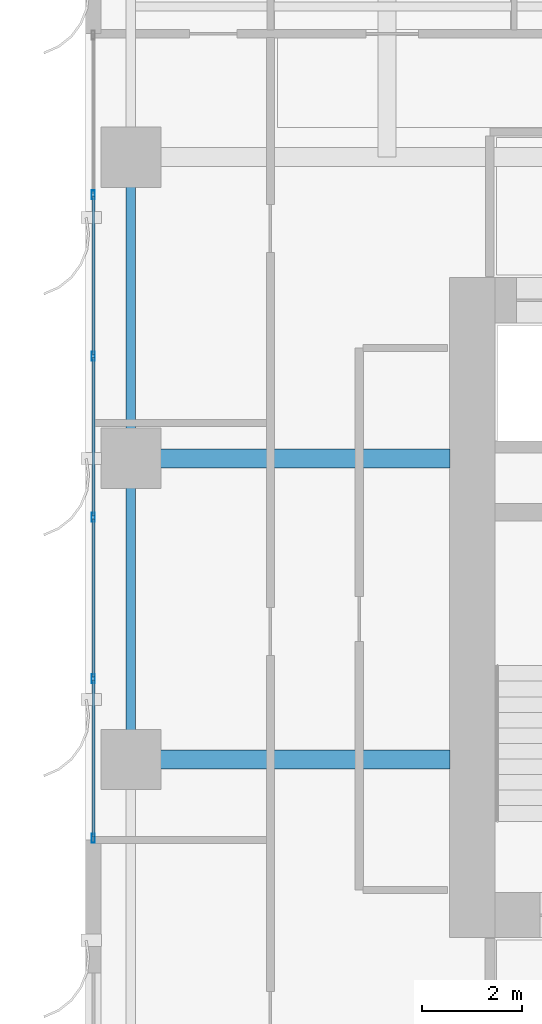
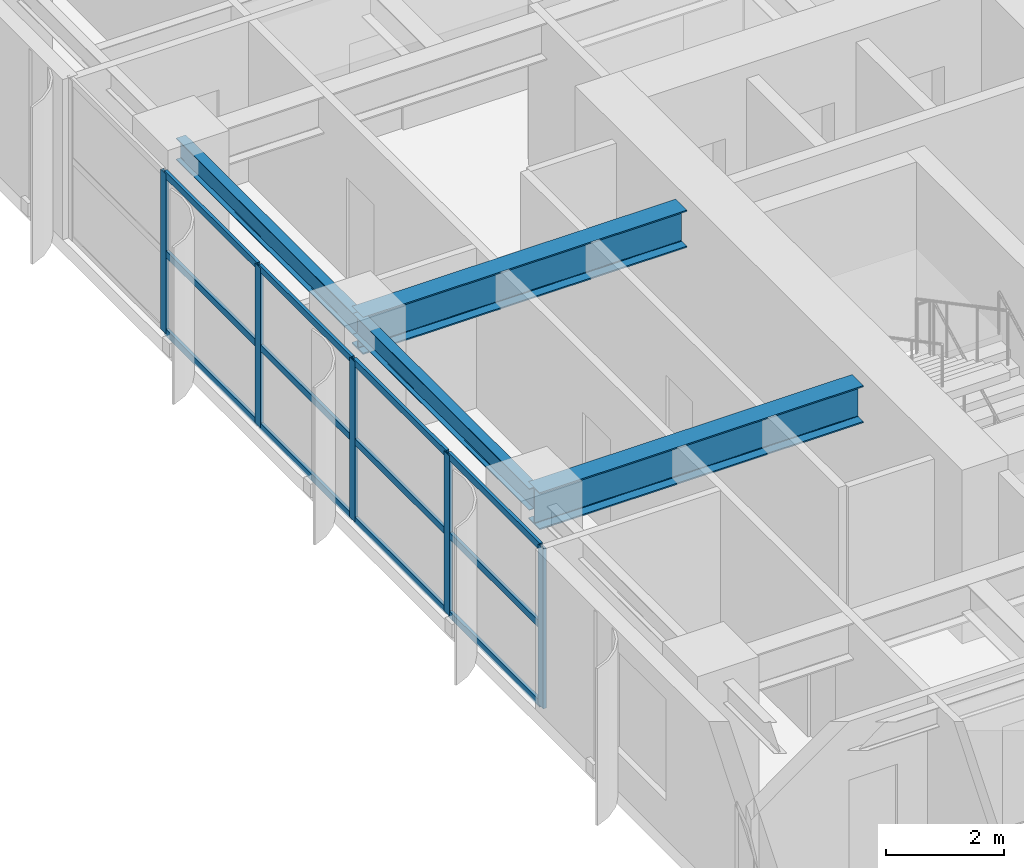
# One storey, part 5 of 24: 17 members, 4 beams, 1 element without a shape of its own.
"""IFC4 building model written with IfcOpenShell, lengths in metres."""

from ifc_helpers import new_model, si_unit, direction, frame, origin, origin_2d, place, context, subcontext, project, spatial, hollow_rectangle, i_section, extrude, source, transform, mapped, material, layer, layer_set, material_profile, profile_set, type_object, element, aggregate, save


model = new_model("IFC4")

# Units and contexts
model_context = context("Model", 3, precision=1e-05, world=origin(), true_north=direction((0.0, 1.0)))
body_context = subcontext(model_context, "Body", "Model", "MODEL_VIEW")
ifc_project = project(units=[si_unit("LENGTHUNIT", "METRE"), si_unit("AREAUNIT", "SQUARE_METRE"), si_unit("VOLUMEUNIT", "CUBIC_METRE"), si_unit("PLANEANGLEUNIT", "RADIAN"), si_unit("MASSUNIT", "GRAM", prefix="KILO")], contexts=[model_context])

# Site, building, storey
site_placement = place(None, origin())
site = spatial("IfcSite", under=ifc_project, at=site_placement, CompositionType="ELEMENT")
building_placement = place(site_placement, origin())
building = spatial("IfcBuilding", under=site, at=building_placement, Name="Khoralis Quay Care Tower", CompositionType="ELEMENT")
storey_placement = place(building_placement, frame((0.0, 0.0, 40.5)))
storey = spatial("IfcBuildingStorey", under=building, at=storey_placement, Name="L10", CompositionType="ELEMENT", Elevation=40.5)

# Beams
ifc_material_1 = material(Name="Steel S355", Category="steel")
ifc_material_profile_1 = material_profile(ifc_material_1, i_section(OverallWidth=0.18994140625, OverallDepth=0.449951171875, WebThickness=0.009521484375, FlangeThickness=0.0146484375, FilletRadius=0.02099609375, at=origin_2d()), Name="Steel S355")
ifc_profile_set_1 = profile_set([ifc_material_profile_1], Name="Steel S355")
beam_type_1 = type_object("IfcBeamType", Name="BM-IPE450", PredefinedType="SPANDREL", material=ifc_profile_set_1)
shared_shape_1 = source(origin(), body_context, "Body", "SweptSolid", [
    extrude(i_section(OverallWidth=0.18994140625, OverallDepth=0.449951171875, WebThickness=0.009521484375, FlangeThickness=0.0146484375, FilletRadius=0.02099609375, at=origin_2d()), origin(), (0.0, 0.0, 1.0), 6.0),
])
for number, where, z_axis, x_axis, name in (
    (1, (0.89990234375, 18.0, 3.094970703125), (0.0, 1.0, 0.0), (-1.0, 0.0, 0.0), "BM-TSP-L10-15"),
    (2, (0.89990234375, 24.0, 3.094970703125), (0.0, 1.0, 0.0), (-1.0, 0.0, 0.0), "BM-TSP-L10-16"),
):
    element("IfcBeam", number, at=place(storey_placement, frame(where, z_axis=z_axis, x_axis=x_axis)), inside=storey, type_object=beam_type_1, Name=name, PredefinedType="SPANDREL", context=body_context, shape_type="MappedRepresentation", body=[
        mapped(shared_shape_1, transform((0.0, 0.0, 0.0), scale=1.0)),
    ])
ifc_material_profile_2 = material_profile(ifc_material_1, i_section(OverallWidth=0.381103515625, OverallDepth=0.77294921875, WebThickness=0.0166015625, FlangeThickness=0.027587890625, FilletRadius=0.02197265625, at=origin_2d()), Name="Steel S355")
ifc_profile_set_2 = profile_set([ifc_material_profile_2], Name="Steel S355")
beam_type_2 = type_object("IfcBeamType", Name="BM-W760X257", PredefinedType="BEAM", material=ifc_profile_set_2)
shared_shape_2 = source(origin(), body_context, "Body", "SweptSolid", [
    extrude(i_section(OverallWidth=0.381103515625, OverallDepth=0.77294921875, WebThickness=0.0166015625, FlangeThickness=0.027587890625, FilletRadius=0.02197265625, at=origin_2d()), origin(), (0.0, 0.0, 1.0), 6.35205078125),
])
for number, where, z_axis, x_axis, name in (
    (3, (0.89990234375, 18.0, 2.93359375), (1.0, 0.0, 0.0), (0.0, 1.0, 0.0), "BM-TGXW-L10-180"),
    (4, (0.89990234375, 24.0, 2.93359375), (1.0, 0.0, 0.0), (0.0, 1.0, 0.0), "BM-TGXW-L10-240"),
):
    element("IfcBeam", number, at=place(storey_placement, frame(where, z_axis=z_axis, x_axis=x_axis)), inside=storey, type_object=beam_type_2, Name=name, PredefinedType="BEAM", context=body_context, shape_type="MappedRepresentation", body=[
        mapped(shared_shape_2, transform((0.0, 0.0, 0.0), scale=1.0)),
    ])

# Curtain wall, members
ifc_material_2 = material(Name="Pale anodised aluminium", Category="aluminium")
ifc_layer = layer(ifc_material_2, 0.179931640625)
ifc_layer_set = layer_set([ifc_layer], Name="Pale anodised aluminium")
curtain_wall_type = type_object("IfcCurtainWallType", Name="CW-SYS-Z1", PredefinedType="NOTDEFINED", material=ifc_layer_set)
curtain_wall_placement = place(storey_placement, origin())
curtain_wall = element("IfcCurtainWall", 5, at=curtain_wall_placement, inside=storey, type_object=curtain_wall_type, Name="L10 Unitised Curtain Wall CW-L10-P1-E15", PredefinedType="NOTDEFINED")
ifc_material_profile_3 = material_profile(ifc_material_2, hollow_rectangle(XDim=0.06494140625, YDim=0.179931640625, WallThickness=0.00390625, at=origin_2d()), Name="Pale anodised aluminium")
ifc_profile_set_3 = profile_set([ifc_material_profile_3], Name="Pale anodised aluminium")
member_type_1 = type_object("IfcMemberType", Name="CW-MUL-180", PredefinedType="MULLION", material=ifc_profile_set_3)
shared_shape_3 = source(origin(), body_context, "Body", "SweptSolid", [
    extrude(hollow_rectangle(XDim=0.06494140625, YDim=0.179931640625, WallThickness=0.00390625, at=origin_2d()), origin(), (0.0, 0.0, 1.0), 3.320068359375),
])
member_1_placement = place(storey_placement, frame((0.14990234375, 29.248046875, 0.0), z_axis=(0.0, 0.0, 1.0), x_axis=(1.0, 0.0, 0.0)))
member_1 = element("IfcMember", 6, at=member_1_placement, type_object=member_type_1, Name="CW1 mullion 2", PredefinedType="MULLION", context=body_context, shape_type="MappedRepresentation", body=[
    mapped(shared_shape_3, transform((0.0, 0.0, 0.0), scale=1.0)),
])
member_2_placement = place(storey_placement, frame((0.14990234375, 26.035888671875, 0.0), z_axis=(0.0, 0.0, 1.0), x_axis=(1.0, 0.0, 0.0)))
member_2 = element("IfcMember", 7, at=member_2_placement, type_object=member_type_1, Name="CW1 mullion 3", PredefinedType="MULLION", context=body_context, shape_type="MappedRepresentation", body=[
    mapped(shared_shape_3, transform((0.0, 0.0, 0.0), scale=1.0)),
])
member_3_placement = place(storey_placement, frame((0.14990234375, 22.823974609375, 0.0), z_axis=(0.0, 0.0, 1.0), x_axis=(1.0, 0.0, 0.0)))
member_3 = element("IfcMember", 8, at=member_3_placement, type_object=member_type_1, Name="CW1 mullion 4", PredefinedType="MULLION", context=body_context, shape_type="MappedRepresentation", body=[
    mapped(shared_shape_3, transform((0.0, 0.0, 0.0), scale=1.0)),
])
member_4_placement = place(storey_placement, frame((0.14990234375, 19.612060546875, 0.0), z_axis=(0.0, 0.0, 1.0), x_axis=(1.0, 0.0, 0.0)))
member_4 = element("IfcMember", 9, at=member_4_placement, type_object=member_type_1, Name="CW1 mullion 5", PredefinedType="MULLION", context=body_context, shape_type="MappedRepresentation", body=[
    mapped(shared_shape_3, transform((0.0, 0.0, 0.0), scale=1.0)),
])
member_5_placement = place(storey_placement, frame((0.14990234375, 16.429931640625, 0.0), z_axis=(0.0, 0.0, 1.0), x_axis=(1.0, 0.0, 0.0)))
member_5 = element("IfcMember", 10, at=member_5_placement, type_object=member_type_1, Name="CW1 mullion 6", PredefinedType="MULLION", context=body_context, shape_type="MappedRepresentation", body=[
    mapped(shared_shape_3, transform((0.0, 0.0, 0.0), scale=1.0)),
])
ifc_material_profile_4 = material_profile(ifc_material_2, hollow_rectangle(XDim=0.06005859375, YDim=0.139892578125, WallThickness=0.00390625, at=origin_2d()), Name="Pale anodised aluminium")
ifc_profile_set_4 = profile_set([ifc_material_profile_4], Name="Pale anodised aluminium")
member_type_2 = type_object("IfcMemberType", Name="CW-TRN-140", PredefinedType="USERDEFINED", material=ifc_profile_set_4)
shared_shape_4 = source(origin(), body_context, "Body", "SweptSolid", [
    extrude(hollow_rectangle(XDim=0.06005859375, YDim=0.139892578125, WallThickness=0.00390625, at=origin_2d()), origin(), (0.0, 0.0, 1.0), 3.1220703125),
])
member_6_placement = place(storey_placement, frame((0.14990234375, 19.58203125, 0.030029296875), z_axis=(0.0, -1.0, 0.0), x_axis=(1.0, 0.0, 0.0)))
member_6 = element("IfcMember", 11, at=member_6_placement, type_object=member_type_2, Name="CW1 transom 5.1", ObjectType="TRANSOM", PredefinedType="USERDEFINED", context=body_context, shape_type="MappedRepresentation", body=[
    mapped(shared_shape_4, transform((0.0, 0.0, 0.0), scale=1.0)),
])
member_7_placement = place(storey_placement, frame((0.14990234375, 19.58203125, 1.659912109375), z_axis=(0.0, -1.0, 0.0), x_axis=(1.0, 0.0, 0.0)))
member_7 = element("IfcMember", 12, at=member_7_placement, type_object=member_type_2, Name="CW1 transom 5.2", ObjectType="TRANSOM", PredefinedType="USERDEFINED", context=body_context, shape_type="MappedRepresentation", body=[
    mapped(shared_shape_4, transform((0.0, 0.0, 0.0), scale=1.0)),
])
member_8_placement = place(storey_placement, frame((0.14990234375, 19.58203125, 3.2900390625), z_axis=(0.0, -1.0, 0.0), x_axis=(1.0, 0.0, 0.0)))
member_8 = element("IfcMember", 13, at=member_8_placement, type_object=member_type_2, Name="CW1 transom 5.3", ObjectType="TRANSOM", PredefinedType="USERDEFINED", context=body_context, shape_type="MappedRepresentation", body=[
    mapped(shared_shape_4, transform((0.0, 0.0, 0.0), scale=1.0)),
])
shared_shape_5 = source(origin(), body_context, "Body", "SweptSolid", [
    extrude(hollow_rectangle(XDim=0.06005859375, YDim=0.139892578125, WallThickness=0.00390625, at=origin_2d()), origin(), (0.0, 0.0, 1.0), 3.15185546875),
])
member_9_placement = place(storey_placement, frame((0.14990234375, 22.7939453125, 0.030029296875), z_axis=(0.0, -1.0, 0.0), x_axis=(1.0, 0.0, 0.0)))
member_9 = element("IfcMember", 14, at=member_9_placement, type_object=member_type_2, Name="CW1 transom 4.1", ObjectType="TRANSOM", PredefinedType="USERDEFINED", context=body_context, shape_type="MappedRepresentation", body=[
    mapped(shared_shape_5, transform((0.0, 0.0, 0.0), scale=1.0)),
])
member_10_placement = place(storey_placement, frame((0.14990234375, 22.7939453125, 1.659912109375), z_axis=(0.0, -1.0, 0.0), x_axis=(1.0, 0.0, 0.0)))
member_10 = element("IfcMember", 15, at=member_10_placement, type_object=member_type_2, Name="CW1 transom 4.2", ObjectType="TRANSOM", PredefinedType="USERDEFINED", context=body_context, shape_type="MappedRepresentation", body=[
    mapped(shared_shape_5, transform((0.0, 0.0, 0.0), scale=1.0)),
])
member_11_placement = place(storey_placement, frame((0.14990234375, 22.7939453125, 3.2900390625), z_axis=(0.0, -1.0, 0.0), x_axis=(1.0, 0.0, 0.0)))
member_11 = element("IfcMember", 16, at=member_11_placement, type_object=member_type_2, Name="CW1 transom 4.3", ObjectType="TRANSOM", PredefinedType="USERDEFINED", context=body_context, shape_type="MappedRepresentation", body=[
    mapped(shared_shape_5, transform((0.0, 0.0, 0.0), scale=1.0)),
])
shared_shape_6 = source(origin(), body_context, "Body", "SweptSolid", [
    extrude(hollow_rectangle(XDim=0.06005859375, YDim=0.139892578125, WallThickness=0.00390625, at=origin_2d()), origin(), (0.0, 0.0, 1.0), 3.152099609375),
])
member_12_placement = place(storey_placement, frame((0.14990234375, 29.218017578125, 0.030029296875), z_axis=(0.0, -1.0, 0.0), x_axis=(1.0, 0.0, 0.0)))
member_12 = element("IfcMember", 17, at=member_12_placement, type_object=member_type_2, Name="CW1 transom 2.1", ObjectType="TRANSOM", PredefinedType="USERDEFINED", context=body_context, shape_type="MappedRepresentation", body=[
    mapped(shared_shape_6, transform((0.0, 0.0, 0.0), scale=1.0)),
])
member_13_placement = place(storey_placement, frame((0.14990234375, 29.218017578125, 1.659912109375), z_axis=(0.0, -1.0, 0.0), x_axis=(1.0, 0.0, 0.0)))
member_13 = element("IfcMember", 18, at=member_13_placement, type_object=member_type_2, Name="CW1 transom 2.2", ObjectType="TRANSOM", PredefinedType="USERDEFINED", context=body_context, shape_type="MappedRepresentation", body=[
    mapped(shared_shape_6, transform((0.0, 0.0, 0.0), scale=1.0)),
])
member_14_placement = place(storey_placement, frame((0.14990234375, 29.218017578125, 3.2900390625), z_axis=(0.0, -1.0, 0.0), x_axis=(1.0, 0.0, 0.0)))
member_14 = element("IfcMember", 19, at=member_14_placement, type_object=member_type_2, Name="CW1 transom 2.3", ObjectType="TRANSOM", PredefinedType="USERDEFINED", context=body_context, shape_type="MappedRepresentation", body=[
    mapped(shared_shape_6, transform((0.0, 0.0, 0.0), scale=1.0)),
])
member_15_placement = place(storey_placement, frame((0.14990234375, 26.006103515625, 0.030029296875), z_axis=(0.0, -1.0, 0.0), x_axis=(1.0, 0.0, 0.0)))
member_15 = element("IfcMember", 20, at=member_15_placement, type_object=member_type_2, Name="CW1 transom 3.1", ObjectType="TRANSOM", PredefinedType="USERDEFINED", context=body_context, shape_type="MappedRepresentation", body=[
    mapped(shared_shape_6, transform((0.0, 0.0, 0.0), scale=1.0)),
])
member_16_placement = place(storey_placement, frame((0.14990234375, 26.006103515625, 1.659912109375), z_axis=(0.0, -1.0, 0.0), x_axis=(1.0, 0.0, 0.0)))
member_16 = element("IfcMember", 21, at=member_16_placement, type_object=member_type_2, Name="CW1 transom 3.2", ObjectType="TRANSOM", PredefinedType="USERDEFINED", context=body_context, shape_type="MappedRepresentation", body=[
    mapped(shared_shape_6, transform((0.0, 0.0, 0.0), scale=1.0)),
])
member_17_placement = place(storey_placement, frame((0.14990234375, 26.006103515625, 3.2900390625), z_axis=(0.0, -1.0, 0.0), x_axis=(1.0, 0.0, 0.0)))
member_17 = element("IfcMember", 22, at=member_17_placement, type_object=member_type_2, Name="CW1 transom 3.3", ObjectType="TRANSOM", PredefinedType="USERDEFINED", context=body_context, shape_type="MappedRepresentation", body=[
    mapped(shared_shape_6, transform((0.0, 0.0, 0.0), scale=1.0)),
])
aggregate(curtain_wall, [member_1, member_2, member_3, member_4, member_5, member_12, member_13, member_14, member_15, member_16, member_17, member_9, member_10, member_11, member_6, member_7, member_8])

save(model, "model.ifc")
